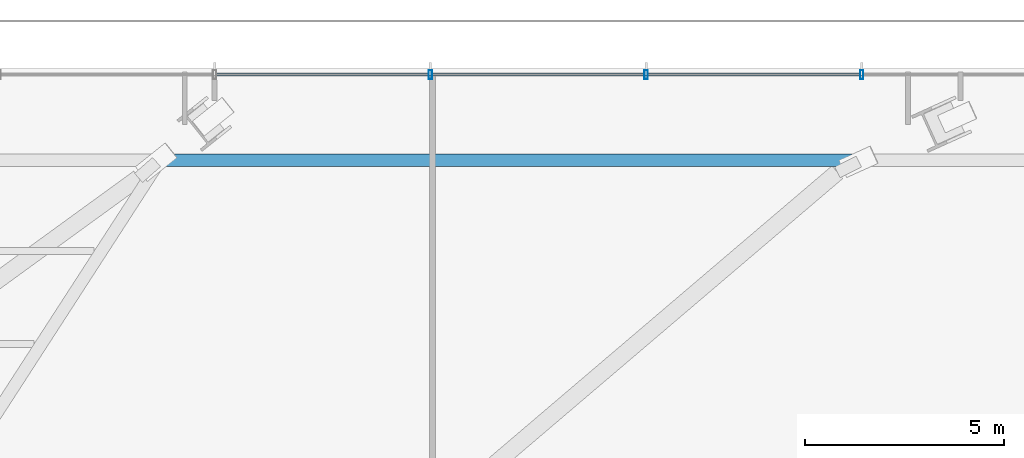
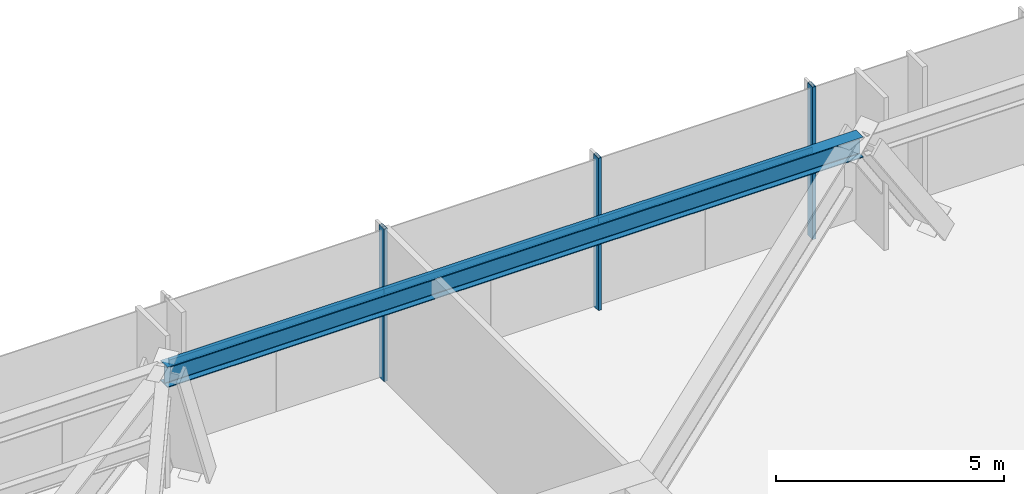
# One storey, part 19 of 36: 6 members, 1 beam, 1 element without a shape of its own.
"""IFC4 building model written with IfcOpenShell, lengths in metres."""

from ifc_helpers import new_model, si_unit, direction, frame, origin, origin_2d, place, context, subcontext, project, spatial, hollow_rectangle, i_section, extrude, source, transform, mapped, material, material_profile, profile_set, type_object, type_shapes, element, aggregate, save


model = new_model("IFC4")

# Units and contexts
model_context = context("Model", 3, precision=1e-05, world=origin(), true_north=direction((0.0, 1.0)))
body_context = subcontext(model_context, "Body", "Model", "MODEL_VIEW")
ifc_project = project(units=[si_unit("LENGTHUNIT", "METRE"), si_unit("AREAUNIT", "SQUARE_METRE"), si_unit("VOLUMEUNIT", "CUBIC_METRE"), si_unit("PLANEANGLEUNIT", "RADIAN"), si_unit("MASSUNIT", "GRAM", prefix="KILO")], contexts=[model_context])

# Site, building, storey
site_placement = place(None, origin())
site = spatial("IfcSite", under=ifc_project, at=site_placement, CompositionType="ELEMENT")
building_placement = place(site_placement, origin())
building = spatial("IfcBuilding", under=site, at=building_placement, Name="Astriad Promenade Condominiums", CompositionType="ELEMENT")
storey_placement = place(building_placement, frame((0.0, 0.0, 5.0)))
storey = spatial("IfcBuildingStorey", under=building, at=storey_placement, Name="L01", CompositionType="ELEMENT", Elevation=5.0)

# Beam
ifc_material_1 = material(Name="Steel ASTM A992 Grade 50", Category="steel")
ifc_material_profile_1 = material_profile(ifc_material_1, i_section(OverallWidth=0.3134765625, OverallDepth=0.54638671875, WebThickness=0.013916015625, FlangeThickness=0.022216796875, FilletRadius=0.0166015625, at=origin_2d()), Name="W21X111")
ifc_profile_set_1 = profile_set([ifc_material_profile_1], Name="Steel ASTM A992 Grade 50")
beam_type = type_object("IfcBeamType", Name="STEEL SPANDREL BEAM W21X111", PredefinedType="SPANDREL", material=ifc_profile_set_1)
shared_shape_1 = source(origin(), body_context, "Body", "SweptSolid", [
    extrude(i_section(OverallWidth=0.3134765625, OverallDepth=0.54638671875, WebThickness=0.013916015625, FlangeThickness=0.022216796875, FilletRadius=0.0166015625, at=origin_2d()), origin(), (0.0, 0.0, 1.0), 17.607177734375),
])
type_shapes(beam_type, [shared_shape_1])
beam_placement = place(storey_placement, frame((56.74755859375, 33.30029296875, 3.806884765625), z_axis=(-1.0, 0.0, 0.0), x_axis=(0.0, -1.0, 0.0)))
element("IfcBeam", 1, at=beam_placement, inside=storey, type_object=beam_type, Name="Perimeter Spandrel Beam SP-N3-L01", PredefinedType="SPANDREL", context=body_context, shape_type="MappedRepresentation", body=[
    mapped(shared_shape_1, transform((0.0, 0.0, 0.0), scale=1.0)),
])

# Curtain wall, members
ifc_material_2 = material(Name="Anodised aluminium Black Dark Glass Unitised", Category="aluminium")
curtain_wall_type = type_object("IfcCurtainWallType", Name="CW-POD-DARK", PredefinedType="USERDEFINED", material=ifc_material_2)
curtain_wall_placement = place(storey_placement, origin())
curtain_wall = element("IfcCurtainWall", 2, at=curtain_wall_placement, inside=storey, type_object=curtain_wall_type, Name="CW-L01-N", ObjectType="UNITISED_CURTAIN_WALL", PredefinedType="USERDEFINED")
ifc_material_3 = material(Name="Anodised aluminium 6063-T6 Black", Category="aluminium")
ifc_material_profile_2 = material_profile(ifc_material_3, hollow_rectangle(XDim=0.0849609375, YDim=0.219970703125, WallThickness=0.0048828125, at=origin_2d()), Name="ALU-MUL-85X220")
ifc_profile_set_2 = profile_set([ifc_material_profile_2], Name="Anodised aluminium 6063-T6 Black")
member_type_1 = type_object("IfcMemberType", Name="MUL-ALU-MUL-85X220", PredefinedType="MULLION", material=ifc_profile_set_2)
shared_shape_2 = source(origin(), body_context, "Body", "SweptSolid", [
    extrude(hollow_rectangle(XDim=0.0849609375, YDim=0.219970703125, WallThickness=0.0048828125, at=origin_2d()), origin(), (0.0, 0.0, 1.0), 4.080078125),
])
type_shapes(member_type_1, [shared_shape_2])
member_1_placement = place(storey_placement, frame((45.925048828125, 35.449951171875, 0.0), z_axis=(0.0, 0.0, 1.0), x_axis=(1.0, 0.0, 0.0)))
member_1 = element("IfcMember", 3, at=member_1_placement, type_object=member_type_1, Name="CW-L01-N-MUL-07", PredefinedType="MULLION", context=body_context, shape_type="MappedRepresentation", body=[
    mapped(shared_shape_2, transform((0.0, 0.0, 0.0), scale=1.0)),
])
member_2_placement = place(storey_placement, frame((51.35009765625, 35.449951171875, 0.0), z_axis=(0.0, 0.0, 1.0), x_axis=(1.0, 0.0, 0.0)))
member_2 = element("IfcMember", 4, at=member_2_placement, type_object=member_type_1, Name="CW-L01-N-MUL-08", PredefinedType="MULLION", context=body_context, shape_type="MappedRepresentation", body=[
    mapped(shared_shape_2, transform((0.0, 0.0, 0.0), scale=1.0)),
])
member_3_placement = place(storey_placement, frame((56.77490234375, 35.449951171875, 0.0), z_axis=(0.0, 0.0, 1.0), x_axis=(1.0, 0.0, 0.0)))
member_3 = element("IfcMember", 5, at=member_3_placement, type_object=member_type_1, Name="CW-L01-N-MUL-09", PredefinedType="MULLION", context=body_context, shape_type="MappedRepresentation", body=[
    mapped(shared_shape_2, transform((0.0, 0.0, 0.0), scale=1.0)),
])
ifc_material_profile_3 = material_profile(ifc_material_3, hollow_rectangle(XDim=0.074951171875, YDim=0.14990234375, WallThickness=0.004150390625, at=origin_2d()), Name="ALU-TRN-75X150")
ifc_profile_set_3 = profile_set([ifc_material_profile_3], Name="Anodised aluminium 6063-T6 Black")
member_type_2 = type_object("IfcMemberType", Name="TRN-ALU-TRN-75X150", PredefinedType="USERDEFINED", material=ifc_profile_set_3)
shared_shape_3 = source(origin(), body_context, "Body", "SweptSolid", [
    extrude(hollow_rectangle(XDim=0.074951171875, YDim=0.14990234375, WallThickness=0.004150390625, at=origin_2d()), origin(), (0.0, 0.0, 1.0), 5.425048828125),
])
member_4_placement = place(storey_placement, frame((40.5, 35.449951171875, 2.35009765625), z_axis=(1.0, 0.0, 0.0), x_axis=(0.0, 1.0, 0.0)))
member_4 = element("IfcMember", 6, at=member_4_placement, type_object=member_type_2, Name="CW-L01-N-TRN-06-0", ObjectType="TRANSOM", PredefinedType="USERDEFINED", context=body_context, shape_type="MappedRepresentation", body=[
    mapped(shared_shape_3, transform((0.0, 0.0, 0.0), scale=1.0)),
])
member_5_placement = place(storey_placement, frame((45.925048828125, 35.449951171875, 2.35009765625), z_axis=(1.0, 0.0, 0.0), x_axis=(0.0, 1.0, 0.0)))
member_5 = element("IfcMember", 7, at=member_5_placement, type_object=member_type_2, Name="CW-L01-N-TRN-07-0", ObjectType="TRANSOM", PredefinedType="USERDEFINED", context=body_context, shape_type="MappedRepresentation", body=[
    mapped(shared_shape_3, transform((0.0, 0.0, 0.0), scale=1.0)),
])
shared_shape_4 = source(origin(), body_context, "Body", "SweptSolid", [
    extrude(hollow_rectangle(XDim=0.074951171875, YDim=0.14990234375, WallThickness=0.004150390625, at=origin_2d()), origin(), (0.0, 0.0, 1.0), 5.4248046875),
])
type_shapes(member_type_2, [shared_shape_3, shared_shape_4])
member_6_placement = place(storey_placement, frame((51.35009765625, 35.449951171875, 2.35009765625), z_axis=(1.0, 0.0, 0.0), x_axis=(0.0, 1.0, 0.0)))
member_6 = element("IfcMember", 8, at=member_6_placement, type_object=member_type_2, Name="CW-L01-N-TRN-08-0", ObjectType="TRANSOM", PredefinedType="USERDEFINED", context=body_context, shape_type="MappedRepresentation", body=[
    mapped(shared_shape_4, transform((0.0, 0.0, 0.0), scale=1.0)),
])
aggregate(curtain_wall, [member_1, member_2, member_3, member_4, member_5, member_6])

save(model, "model.ifc")
